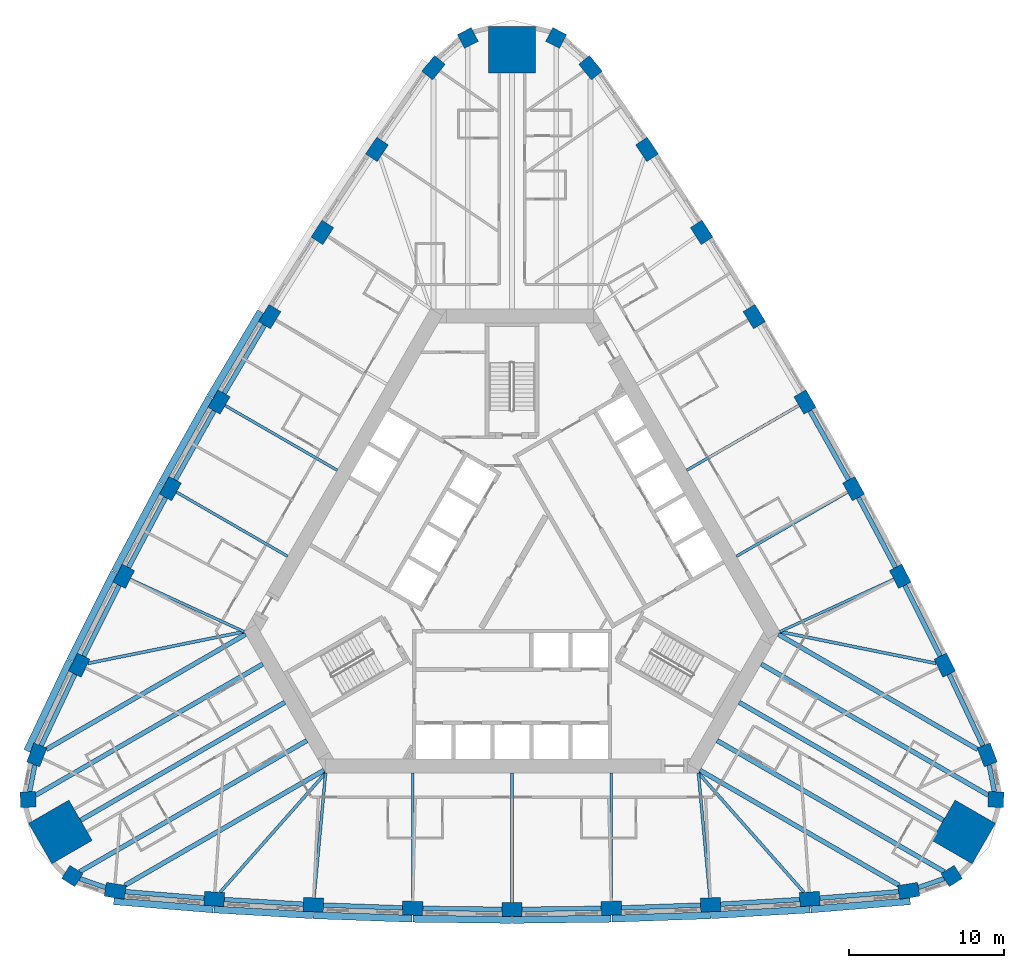
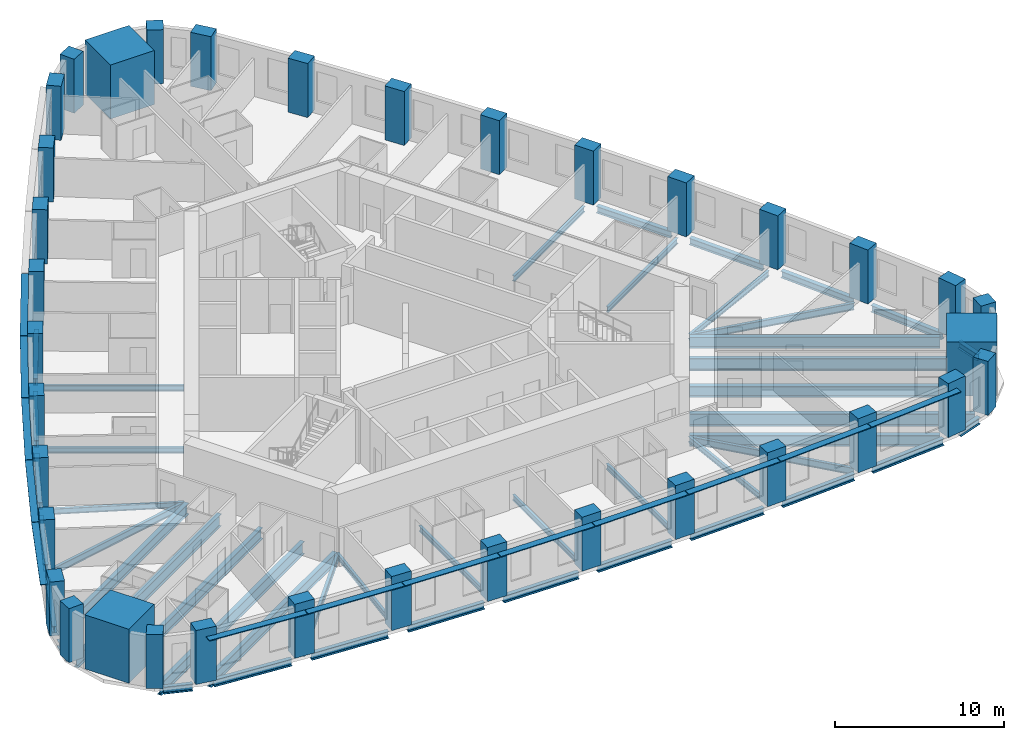
# One storey, part 1 of 12: 46 beams, 36 columns, 13 members.
"""IFC4 building model written with IfcOpenShell, lengths in metres."""

from ifc_helpers import new_model, si_unit, direction, frame, origin, origin_2d, place, context, subcontext, project, spatial, rectangle, i_section, extrude, material, material_profile, profile_set, type_object, element, save


model = new_model("IFC4")

# Units and contexts
model_context = context("Model", 3, precision=1e-05, world=origin(), true_north=direction((0.0, 1.0)))
body_context = subcontext(model_context, "Body", "Model", "MODEL_VIEW")
ifc_project = project(units=[si_unit("LENGTHUNIT", "METRE"), si_unit("AREAUNIT", "SQUARE_METRE"), si_unit("VOLUMEUNIT", "CUBIC_METRE"), si_unit("PLANEANGLEUNIT", "RADIAN"), si_unit("MASSUNIT", "GRAM", prefix="KILO")], contexts=[model_context])

# Site, building, storey
site_placement = place(None, origin())
site = spatial("IfcSite", under=ifc_project, at=site_placement, CompositionType="ELEMENT")
building_placement = place(site_placement, origin())
building = spatial("IfcBuilding", under=site, at=building_placement, Name="Mestral Congress Tower", CompositionType="ELEMENT")
storey_placement = place(building_placement, frame((0.0, 0.0, 103.199951171875)))
storey = spatial("IfcBuildingStorey", under=building, at=storey_placement, Name="L24", CompositionType="ELEMENT", Elevation=103.199951171875)

# Columns
ifc_material_1 = material(Name="Concrete C70/85", Category="concrete")
ifc_material_profile_1 = material_profile(ifc_material_1, rectangle(XDim=1.0, YDim=1.0, at=origin_2d()), Name="RC 1000x1000")
ifc_profile_set_1 = profile_set([ifc_material_profile_1], Name="Concrete C70/85")
column_type_1 = type_object("IfcColumnType", Name="Column RC 1000x1000 C70/85", PredefinedType="COLUMN", material=ifc_profile_set_1)
for number, where, z_axis, x_axis, name in (
    (1, (28.331298828125, -19.642822265625, 0.0), (0.0, 0.0, 1.0), (0.841700252504, 0.53994507585, 0.0), "COL-L24-C2-SE1"),
    (2, (31.1767578125, -14.714111328125, 0.0), (0.0, 0.0, 1.0), (0.046756026083, 0.998906338965, 0.0), "COL-L24-C2-SE3"),
    (3, (2.845703125, 34.35693359375, 0.0), (0.0, 0.0, 1.0), (-0.888456278587, 0.458961263115, 0.0), "COL-L24-C2-N1"),
    (4, (-2.845703125, 34.35693359375, 0.0), (0.0, 0.0, 1.0), (-0.888456278587, -0.458961263115, 0.0), "COL-L24-C2-N3"),
    (5, (-31.1767578125, -14.714111328125, 0.0), (0.0, 0.0, 1.0), (0.046756026083, -0.998906338965, 0.0), "COL-L24-C2-SW1"),
    (6, (-28.331298828125, -19.642822265625, 0.0), (0.0, 0.0, 1.0), (0.841700252504, -0.53994507585, 0.0), "COL-L24-C2-SW3"),
):
    element("IfcColumn", number, at=place(storey_placement, frame(where, z_axis=z_axis, x_axis=x_axis)), inside=storey, type_object=column_type_1, Name=name, PredefinedType="COLUMN", context=body_context, shape_type="SweptSolid", body=[
        extrude(rectangle(XDim=1.0, YDim=1.0, at=origin_2d()), origin(), (0.0, 0.0, 1.0), 3.900146484375),
    ])
ifc_material_profile_2 = material_profile(ifc_material_1, rectangle(XDim=1.300048828125, YDim=0.89990234375, at=origin_2d()), Name="RC 1300x900")
ifc_profile_set_2 = profile_set([ifc_material_profile_2], Name="Concrete C70/85")
column_type_2 = type_object("IfcColumnType", Name="Column RC 1300x900 C70/85", PredefinedType="COLUMN", material=ifc_profile_set_2)
for number, where, z_axis, x_axis, name in (
    (7, (-25.562744140625, -20.59716796875, 0.0), (0.0, 0.0, 1.0), (0.987202314361, -0.159472851987, 0.0), "COL-L24-C2-S00"),
    (8, (-19.184326171875, -21.120361328125, 0.0), (0.0, 0.0, 1.0), (0.997539884588, -0.07010120296, 0.0), "COL-L24-C2-S01"),
    (9, (-12.79541015625, -21.494384765625, 0.0), (0.0, 0.0, 1.0), (0.998906338965, -0.046756026083, 0.0), "COL-L24-C2-S02"),
    (10, (-6.3994140625, -21.71875, 0.0), (0.0, 0.0, 1.0), (0.99972656776, -0.023383535144, 0.0), "COL-L24-C2-S03"),
    (11, (0.0, -21.793701171875, 0.0), (0.0, 0.0, 1.0), (1.0, 0.0, 0.0), "COL-L24-C2-S04"),
    (12, (6.3994140625, -21.71875, 0.0), (0.0, 0.0, 1.0), (0.99972656776, 0.023383535144, 0.0), "COL-L24-C2-S05"),
    (13, (12.79541015625, -21.494384765625, 0.0), (0.0, 0.0, 1.0), (0.998906338965, 0.046756026083, 0.0), "COL-L24-C2-S06"),
    (14, (19.184326171875, -21.120361328125, 0.0), (0.0, 0.0, 1.0), (0.997539884588, 0.07010120296, 0.0), "COL-L24-C2-S07"),
    (15, (25.562744140625, -20.59716796875, 0.0), (0.0, 0.0, 1.0), (0.987202314361, 0.159472851987, 0.0), "COL-L24-C2-S08"),
    (16, (30.618896484375, -11.83935546875, 0.0), (0.0, 0.0, 1.0), (-0.355493616145, 0.934678708905, 0.0), "COL-L24-C2-E00"),
    (17, (27.8828125, -6.0537109375, 0.0), (0.0, 0.0, 1.0), (-0.438060519695, 0.898945482821, 0.0), "COL-L24-C2-E01"),
    (18, (25.01220703125, -0.333984375, 0.0), (0.0, 0.0, 1.0), (-0.458961263115, 0.888456278587, 0.0), "COL-L24-C2-E02"),
    (19, (22.0087890625, 5.3173828125, 0.0), (0.0, 0.0, 1.0), (-0.479612548415, 0.87748037209, 0.0), "COL-L24-C2-E03"),
    (20, (18.873779296875, 10.896728515625, 0.0), (0.0, 0.0, 1.0), (-0.5, 0.866025403784, 0.0), "COL-L24-C2-E04"),
    (21, (15.609375, 16.401611328125, 0.0), (0.0, 0.0, 1.0), (-0.520114019344, 0.854096836946, 0.0), "COL-L24-C2-E05"),
    (22, (12.217041015625, 21.828369140625, 0.0), (0.0, 0.0, 1.0), (-0.53994507585, 0.841700252504, 0.0), "COL-L24-C2-E06"),
    (23, (8.69873046875, 27.17431640625, 0.0), (0.0, 0.0, 1.0), (-0.559479364893, 0.828844279861, 0.0), "COL-L24-C2-E07"),
    (24, (5.056396484375, 32.4365234375, 0.0), (0.0, 0.0, 1.0), (-0.631708698215, 0.775205856918, 0.0), "COL-L24-C2-E08"),
    (25, (-5.056396484375, 32.4365234375, 0.0), (0.0, 0.0, 1.0), (-0.631708698215, -0.775205856918, 0.0), "COL-L24-C2-W00"),
    (26, (-8.69873046875, 27.17431640625, 0.0), (0.0, 0.0, 1.0), (-0.559479364893, -0.828844279861, 0.0), "COL-L24-C2-W01"),
    (27, (-12.217041015625, 21.828369140625, 0.0), (0.0, 0.0, 1.0), (-0.53994507585, -0.841700252504, 0.0), "COL-L24-C2-W02"),
    (28, (-15.609375, 16.401611328125, 0.0), (0.0, 0.0, 1.0), (-0.520114019344, -0.854096836946, 0.0), "COL-L24-C2-W03"),
    (29, (-18.873779296875, 10.896728515625, 0.0), (0.0, 0.0, 1.0), (-0.5, -0.866025403784, 0.0), "COL-L24-C2-W04"),
    (30, (-22.0087890625, 5.3173828125, 0.0), (0.0, 0.0, 1.0), (-0.479612548415, -0.87748037209, 0.0), "COL-L24-C2-W05"),
    (31, (-25.01220703125, -0.333984375, 0.0), (0.0, 0.0, 1.0), (-0.458961263115, -0.888456278587, 0.0), "COL-L24-C2-W06"),
    (32, (-27.8828125, -6.0537109375, 0.0), (0.0, 0.0, 1.0), (-0.438060519695, -0.898945482821, 0.0), "COL-L24-C2-W07"),
    (33, (-30.618896484375, -11.83935546875, 0.0), (0.0, 0.0, 1.0), (-0.355493616145, -0.934678708905, 0.0), "COL-L24-C2-W08"),
):
    element("IfcColumn", number, at=place(storey_placement, frame(where, z_axis=z_axis, x_axis=x_axis)), inside=storey, type_object=column_type_2, Name=name, PredefinedType="COLUMN", context=body_context, shape_type="SweptSolid", body=[
        extrude(rectangle(XDim=1.300048828125, YDim=0.89990234375, at=origin_2d()), origin(), (0.0, 0.0, 1.0), 3.900146484375),
    ])
ifc_material_2 = material(Name="Concrete C80/95", Category="concrete")
ifc_material_profile_3 = material_profile(ifc_material_2, rectangle(XDim=3.0, YDim=3.0, at=origin_2d()), Name="RC 3000x3000")
ifc_profile_set_3 = profile_set([ifc_material_profile_3], Name="Concrete C80/95")
column_type_3 = type_object("IfcColumnType", Name="Mega column RC 3000x3000 C80/95", PredefinedType="COLUMN", material=ifc_profile_set_3)
for number, where, z_axis, x_axis, name in (
    (34, (29.09716796875, -16.79931640625, 0.0), (0.0, 0.0, 1.0), (0.866025403784, -0.5, 0.0), "COL-L24-PY2-SE"),
    (35, (0.0, 33.598388671875, 0.0), (0.0, 0.0, 1.0), (0.0, 1.0, 0.0), "COL-L24-PY2-N"),
    (36, (-29.09716796875, -16.79931640625, 0.0), (0.0, 0.0, 1.0), (-0.866025403784, -0.5, 0.0), "COL-L24-PY2-SW"),
):
    element("IfcColumn", number, at=place(storey_placement, frame(where, z_axis=z_axis, x_axis=x_axis)), inside=storey, type_object=column_type_3, Name=name, PredefinedType="COLUMN", context=body_context, shape_type="SweptSolid", body=[
        extrude(rectangle(XDim=3.0, YDim=3.0, at=origin_2d()), origin(), (0.0, 0.0, 1.0), 3.900146484375),
    ])

# Members
ifc_material_3 = material(Name="Glazed ceramic", Category="masonry")
ifc_material_profile_4 = material_profile(ifc_material_3, rectangle(XDim=0.449951171875, YDim=0.06005859375, at=origin_2d()), Name="Ceramic blade 450 x 60")
ifc_profile_set_4 = profile_set([ifc_material_profile_4], Name="Glazed ceramic")
member_type = type_object("IfcMemberType", Name="Facade sunshade blade 450 x 60", PredefinedType="USERDEFINED", material=ifc_profile_set_4)
member_1_placement = place(storey_placement, frame((-25.654296875, -21.266845703125, 3.280029296875), z_axis=(0.996650616323, -0.081777435656, 0.0), x_axis=(0.081777435656, 0.996650616323, 0.0)))
element("IfcMember", 37, at=member_1_placement, inside=storey, type_object=member_type, Name="Sunshade F0-00", ObjectType="SUNSHADE", PredefinedType="USERDEFINED", context=body_context, shape_type="SweptSolid", body=[
    extrude(rectangle(XDim=0.449951171875, YDim=0.06005859375, at=origin_2d()), origin(), (0.0, 0.0, 1.0), 6.421630859375),
])
for number, where, z_axis, x_axis, name in (
    (38, (-19.208984375, -21.795166015625, 3.280029296875), (0.998292825409, -0.05840748871, 0.0), (0.05840748871, 0.998292825409, 0.0), "Sunshade F0-01"),
    (39, (-12.80419921875, -22.16943359375, 3.280029296875), (0.999384970229, -0.035066811664, 0.0), (0.035066811664, 0.999384970229, 0.0), "Sunshade F0-02"),
    (40, (-6.392578125, -22.393798828125, 3.280029296875), (0.999931231966, -0.011727375608, 0.0), (0.011727375608, 0.999931231966, 0.0), "Sunshade F0-03"),
    (41, (0.022705078125, -22.468505859375, 3.280029296875), (0.999931231966, 0.011727375608, 0.0), (-0.011727375608, 0.999931231966, 0.0), "Sunshade F0-04"),
    (42, (6.437744140625, -22.392822265625, 3.280029296875), (0.999384970229, 0.035066811664, 0.0), (-0.035066811664, 0.999384970229, 0.0), "Sunshade F0-05"),
    (43, (12.849609375, -22.167236328125, 3.280029296875), (0.998292825409, 0.05840748871, 0.0), (-0.05840748871, 0.998292825409, 0.0), "Sunshade F0-06"),
):
    element("IfcMember", number, at=place(storey_placement, frame(where, z_axis=z_axis, x_axis=x_axis)), inside=storey, type_object=member_type, Name=name, ObjectType="SUNSHADE", PredefinedType="USERDEFINED", context=body_context, shape_type="SweptSolid", body=[
        extrude(rectangle(XDim=0.449951171875, YDim=0.06005859375, at=origin_2d()), origin(), (0.0, 0.0, 1.0), 6.370361328125),
    ])
member_2_placement = place(storey_placement, frame((19.254150390625, -21.7919921875, 3.280029296875), z_axis=(0.996650616323, 0.081777435656, 0.0), x_axis=(-0.081777435656, 0.996650616323, 0.0)))
element("IfcMember", 44, at=member_2_placement, inside=storey, type_object=member_type, Name="Sunshade F0-07", ObjectType="SUNSHADE", PredefinedType="USERDEFINED", context=body_context, shape_type="SweptSolid", body=[
    extrude(rectangle(XDim=0.449951171875, YDim=0.06005859375, at=origin_2d()), origin(), (0.0, 0.0, 1.0), 6.421630859375),
])
for number, where, z_axis, x_axis, name in (
    (45, (-16.197509765625, 16.733154296875, 3.280029296875), (-0.510098606231, -0.86011592935, 0.0), (0.86011592935, -0.510098606231, 0.0), "Sunshade F2-03"),
    (46, (-19.469482421875, 11.214599609375, 3.280029296875), (-0.489860886888, -0.871800614531, 0.0), (0.871800614531, -0.489860886888, 0.0), "Sunshade F2-04"),
    (47, (-22.61181640625, 5.62109375, 3.280029296875), (-0.469318672425, -0.883028869128, 0.0), (0.883028869128, -0.469318672425, 0.0), "Sunshade F2-05"),
):
    element("IfcMember", number, at=place(storey_placement, frame(where, z_axis=z_axis, x_axis=x_axis)), inside=storey, type_object=member_type, Name=name, ObjectType="SUNSHADE", PredefinedType="USERDEFINED", context=body_context, shape_type="SweptSolid", body=[
        extrude(rectangle(XDim=0.449951171875, YDim=0.06005859375, at=origin_2d()), origin(), (0.0, 0.0, 1.0), 6.370361328125),
    ])
member_3_placement = place(storey_placement, frame((-25.622314453125, -0.04443359375, 3.280029296875), z_axis=(-0.448531530965, -0.893767008638, 0.0), x_axis=(0.893767008638, -0.448531530965, 0.0)))
element("IfcMember", 48, at=member_3_placement, inside=storey, type_object=member_type, Name="Sunshade F2-06", ObjectType="SUNSHADE", PredefinedType="USERDEFINED", context=body_context, shape_type="SweptSolid", body=[
    extrude(rectangle(XDim=0.449951171875, YDim=0.06005859375, at=origin_2d()), origin(), (0.0, 0.0, 1.0), 6.3701171875),
])
member_4_placement = place(storey_placement, frame((-28.49951171875, -5.778564453125, 3.280029296875), z_axis=(-0.427519164001, -0.904006285604, 0.0), x_axis=(0.904006285604, -0.427519164001, 0.0)))
element("IfcMember", 49, at=member_4_placement, inside=storey, type_object=member_type, Name="Sunshade F2-07", ObjectType="SUNSHADE", PredefinedType="USERDEFINED", context=body_context, shape_type="SweptSolid", body=[
    extrude(rectangle(XDim=0.449951171875, YDim=0.06005859375, at=origin_2d()), origin(), (0.0, 0.0, 1.0), 6.421630859375),
])

# Beams
ifc_material_4 = material(Name="Steel S355", Category="steel")
ifc_material_profile_5 = material_profile(ifc_material_4, i_section(OverallWidth=0.300048828125, OverallDepth=0.800048828125, WebThickness=0.017578125, FlangeThickness=0.032958984375, FilletRadius=0.030029296875, at=origin_2d()), Name="HEB 800")
ifc_profile_set_5 = profile_set([ifc_material_profile_5], Name="Steel S355")
beam_type_1 = type_object("IfcBeamType", Name="Floor beam HEB 800 S355", PredefinedType="BEAM", material=ifc_profile_set_5)
for number, where, z_axis, x_axis, name in (
    (50, (-24.94580078125, -20.240966796875, -0.64990234375), (0.866025146382, 0.500000445834, 0.0), (-0.500000445834, 0.866025146382, 0.0), "BM-L24-RB2-S00"),
    (51, (24.94580078125, -20.240966796875, -0.64990234375), (-0.866025146382, 0.500000445834, 0.0), (-0.500000445834, -0.866025146382, 0.0), "BM-L24-RB2-S08"),
):
    element("IfcBeam", number, at=place(storey_placement, frame(where, z_axis=z_axis, x_axis=x_axis)), inside=storey, type_object=beam_type_1, Name=name, PredefinedType="BEAM", context=body_context, shape_type="SweptSolid", body=[
        extrude(i_section(OverallWidth=0.300048828125, OverallDepth=0.800048828125, WebThickness=0.017578125, FlangeThickness=0.032958984375, FilletRadius=0.030029296875, at=origin_2d()), origin(), (0.0, 0.0, 1.0), 14.82421875),
    ])
beam_1_placement = place(storey_placement, frame((27.798095703125, -16.04931640625, -0.64990234375), z_axis=(-0.866023213189, 0.500003794204, 0.0), x_axis=(-0.500003794204, -0.866023213189, 0.0)))
element("IfcBeam", 52, at=beam_1_placement, inside=storey, type_object=beam_type_1, Name="BM-L24-RB2-SE", PredefinedType="BEAM", context=body_context, shape_type="SweptSolid", body=[
    extrude(i_section(OverallWidth=0.300048828125, OverallDepth=0.800048828125, WebThickness=0.017578125, FlangeThickness=0.032958984375, FilletRadius=0.030029296875, at=origin_2d()), origin(), (0.0, 0.0, 1.0), 15.19873046875),
])
for number, where, z_axis, x_axis, name in (
    (53, (30.002197265625, -11.483154296875, -0.64990234375), (-0.866025146382, 0.500000445834, 0.0), (-0.500000445834, -0.866025146382, 0.0), "BM-L24-RB2-E00"),
    (54, (-30.002197265625, -11.483154296875, -0.64990234375), (0.866025146382, 0.500000445834, 0.0), (-0.500000445834, 0.866025146382, 0.0), "BM-L24-RB2-W08"),
):
    element("IfcBeam", number, at=place(storey_placement, frame(where, z_axis=z_axis, x_axis=x_axis)), inside=storey, type_object=beam_type_1, Name=name, PredefinedType="BEAM", context=body_context, shape_type="SweptSolid", body=[
        extrude(i_section(OverallWidth=0.300048828125, OverallDepth=0.800048828125, WebThickness=0.017578125, FlangeThickness=0.032958984375, FilletRadius=0.030029296875, at=origin_2d()), origin(), (0.0, 0.0, 1.0), 14.82421875),
    ])
beam_2_placement = place(storey_placement, frame((-27.798095703125, -16.04931640625, -0.64990234375), z_axis=(0.866023213189, 0.500003794204, 0.0), x_axis=(-0.500003794204, 0.866023213189, 0.0)))
element("IfcBeam", 55, at=beam_2_placement, inside=storey, type_object=beam_type_1, Name="BM-L24-RB2-SW", PredefinedType="BEAM", context=body_context, shape_type="SweptSolid", body=[
    extrude(i_section(OverallWidth=0.300048828125, OverallDepth=0.800048828125, WebThickness=0.017578125, FlangeThickness=0.032958984375, FilletRadius=0.030029296875, at=origin_2d()), origin(), (0.0, 0.0, 1.0), 15.19873046875),
])
ifc_material_profile_6 = material_profile(ifc_material_4, i_section(OverallWidth=0.300048828125, OverallDepth=0.89990234375, WebThickness=0.0185546875, FlangeThickness=0.034912109375, FilletRadius=0.030029296875, at=origin_2d()), Name="HEB 900")
ifc_profile_set_6 = profile_set([ifc_material_profile_6], Name="Steel S355")
beam_type_2 = type_object("IfcBeamType", Name="Floor beam HEB 900 S355", PredefinedType="BEAM", material=ifc_profile_set_6)
beam_3_placement = place(storey_placement, frame((27.84375, -19.361328125, -0.699951171875), z_axis=(-0.866024587677, 0.500001413537, 0.0), x_axis=(-0.500001413537, -0.866024587677, 0.0)))
element("IfcBeam", 56, at=beam_3_placement, inside=storey, type_object=beam_type_2, Name="BM-L24-RB2-SE1", PredefinedType="BEAM", context=body_context, shape_type="SweptSolid", body=[
    extrude(i_section(OverallWidth=0.300048828125, OverallDepth=0.89990234375, WebThickness=0.0185546875, FlangeThickness=0.034912109375, FilletRadius=0.030029296875, at=origin_2d()), origin(), (0.0, 0.0, 1.0), 16.89404296875),
])
for number, where, z_axis, x_axis, name in (
    (57, (30.689453125, -14.4326171875, -0.699951171875), (-0.866028200461, 0.499995155983, 0.0), (-0.499995155983, -0.866028200461, 0.0), "BM-L24-RB2-SE3"),
    (58, (-30.689453125, -14.4326171875, -0.699951171875), (0.866028200461, 0.499995155983, 0.0), (-0.499995155983, 0.866028200461, 0.0), "BM-L24-RB2-SW1"),
):
    element("IfcBeam", number, at=place(storey_placement, frame(where, z_axis=z_axis, x_axis=x_axis)), inside=storey, type_object=beam_type_2, Name=name, PredefinedType="BEAM", context=body_context, shape_type="SweptSolid", body=[
        extrude(i_section(OverallWidth=0.300048828125, OverallDepth=0.89990234375, WebThickness=0.0185546875, FlangeThickness=0.034912109375, FilletRadius=0.030029296875, at=origin_2d()), origin(), (0.0, 0.0, 1.0), 16.894287109375),
    ])
beam_4_placement = place(storey_placement, frame((-27.84375, -19.361328125, -0.699951171875), z_axis=(0.866024587677, 0.500001413537, 0.0), x_axis=(-0.500001413537, 0.866024587677, 0.0)))
element("IfcBeam", 59, at=beam_4_placement, inside=storey, type_object=beam_type_2, Name="BM-L24-RB2-SW3", PredefinedType="BEAM", context=body_context, shape_type="SweptSolid", body=[
    extrude(i_section(OverallWidth=0.300048828125, OverallDepth=0.89990234375, WebThickness=0.0185546875, FlangeThickness=0.034912109375, FilletRadius=0.030029296875, at=origin_2d()), origin(), (0.0, 0.0, 1.0), 16.89404296875),
])
ifc_material_profile_7 = material_profile(ifc_material_4, i_section(OverallWidth=0.179931640625, OverallDepth=0.39990234375, WebThickness=0.008544921875, FlangeThickness=0.013427734375, FilletRadius=0.02099609375, at=origin_2d()), Name="IPE 400")
ifc_profile_set_7 = profile_set([ifc_material_profile_7], Name="Steel S355")
beam_type_3 = type_object("IfcBeamType", Name="Floor beam IPE 400 S355", PredefinedType="BEAM", material=ifc_profile_set_7)
beam_5_placement = place(storey_placement, frame((-12.753662109375, -21.0458984375, -0.449951171875), z_axis=(0.092183786594, 0.995742009503, 0.0), x_axis=(-0.995742009503, 0.092183786594, 0.0)))
element("IfcBeam", 60, at=beam_5_placement, inside=storey, type_object=beam_type_3, Name="BM-L24-RB2-S02", PredefinedType="BEAM", context=body_context, shape_type="SweptSolid", body=[
    extrude(i_section(OverallWidth=0.179931640625, OverallDepth=0.39990234375, WebThickness=0.008544921875, FlangeThickness=0.013427734375, FilletRadius=0.02099609375, at=origin_2d()), origin(), (0.0, 0.0, 1.0), 8.080322265625),
])
beam_6_placement = place(storey_placement, frame((-6.3994140625, -21.268798828125, -0.449951171875), z_axis=(0.0, 1.0, 0.0), x_axis=(-1.0, 0.0, 0.0)))
element("IfcBeam", 61, at=beam_6_placement, inside=storey, type_object=beam_type_3, Name="BM-L24-RB2-S03", PredefinedType="BEAM", context=body_context, shape_type="SweptSolid", body=[
    extrude(i_section(OverallWidth=0.179931640625, OverallDepth=0.39990234375, WebThickness=0.008544921875, FlangeThickness=0.013427734375, FilletRadius=0.02099609375, at=origin_2d()), origin(), (0.0, 0.0, 1.0), 8.268798828125),
])
beam_7_placement = place(storey_placement, frame((0.0, -21.343505859375, -0.449951171875), z_axis=(0.0, 1.0, 0.0), x_axis=(-1.0, 0.0, 0.0)))
element("IfcBeam", 62, at=beam_7_placement, inside=storey, type_object=beam_type_3, Name="BM-L24-RB2-S04", PredefinedType="BEAM", context=body_context, shape_type="SweptSolid", body=[
    extrude(i_section(OverallWidth=0.179931640625, OverallDepth=0.39990234375, WebThickness=0.008544921875, FlangeThickness=0.013427734375, FilletRadius=0.02099609375, at=origin_2d()), origin(), (0.0, 0.0, 1.0), 8.343505859375),
])
beam_8_placement = place(storey_placement, frame((6.3994140625, -21.268798828125, -0.449951171875), z_axis=(0.0, 1.0, 0.0), x_axis=(-1.0, 0.0, 0.0)))
element("IfcBeam", 63, at=beam_8_placement, inside=storey, type_object=beam_type_3, Name="BM-L24-RB2-S05", PredefinedType="BEAM", context=body_context, shape_type="SweptSolid", body=[
    extrude(i_section(OverallWidth=0.179931640625, OverallDepth=0.39990234375, WebThickness=0.008544921875, FlangeThickness=0.013427734375, FilletRadius=0.02099609375, at=origin_2d()), origin(), (0.0, 0.0, 1.0), 8.268798828125),
])
beam_9_placement = place(storey_placement, frame((12.753662109375, -21.0458984375, -0.449951171875), z_axis=(-0.092183786594, 0.995742009503, 0.0), x_axis=(-0.995742009503, -0.092183786594, 0.0)))
element("IfcBeam", 64, at=beam_9_placement, inside=storey, type_object=beam_type_3, Name="BM-L24-RB2-S06", PredefinedType="BEAM", context=body_context, shape_type="SweptSolid", body=[
    extrude(i_section(OverallWidth=0.179931640625, OverallDepth=0.39990234375, WebThickness=0.008544921875, FlangeThickness=0.013427734375, FilletRadius=0.02099609375, at=origin_2d()), origin(), (0.0, 0.0, 1.0), 8.080322265625),
])
beam_10_placement = place(storey_placement, frame((24.60302734375, -0.522216796875, -0.449951171875), z_axis=(-0.908437217841, -0.418021316731, 0.0), x_axis=(0.418021316731, -0.908437217841, 0.0)))
element("IfcBeam", 65, at=beam_10_placement, inside=storey, type_object=beam_type_3, Name="BM-L24-RB2-E02", PredefinedType="BEAM", context=body_context, shape_type="SweptSolid", body=[
    extrude(i_section(OverallWidth=0.179931640625, OverallDepth=0.39990234375, WebThickness=0.008544921875, FlangeThickness=0.013427734375, FilletRadius=0.02099609375, at=origin_2d()), origin(), (0.0, 0.0, 1.0), 8.080078125),
])
beam_11_placement = place(storey_placement, frame((21.618896484375, 5.09228515625, -0.449951171875), z_axis=(-0.866028737439, -0.499994225897, 0.0), x_axis=(0.499994225897, -0.866028737439, 0.0)))
element("IfcBeam", 66, at=beam_11_placement, inside=storey, type_object=beam_type_3, Name="BM-L24-RB2-E03", PredefinedType="BEAM", context=body_context, shape_type="SweptSolid", body=[
    extrude(i_section(OverallWidth=0.179931640625, OverallDepth=0.39990234375, WebThickness=0.008544921875, FlangeThickness=0.013427734375, FilletRadius=0.02099609375, at=origin_2d()), origin(), (0.0, 0.0, 1.0), 8.2685546875),
])
for number, where, z_axis, x_axis, name in (
    (67, (18.484130859375, 10.671875, -0.449951171875), (-0.86602332482, -0.500003600855, 0.0), (0.500003600855, -0.86602332482, 0.0), "BM-L24-RB2-E04"),
    (68, (-18.484130859375, 10.671875, -0.449951171875), (0.86602332482, -0.500003600855, 0.0), (0.500003600855, 0.86602332482, 0.0), "BM-L24-RB2-W04"),
):
    element("IfcBeam", number, at=place(storey_placement, frame(where, z_axis=z_axis, x_axis=x_axis)), inside=storey, type_object=beam_type_3, Name=name, PredefinedType="BEAM", context=body_context, shape_type="SweptSolid", body=[
        extrude(i_section(OverallWidth=0.179931640625, OverallDepth=0.39990234375, WebThickness=0.008544921875, FlangeThickness=0.013427734375, FilletRadius=0.02099609375, at=origin_2d()), origin(), (0.0, 0.0, 1.0), 8.34375),
    ])
beam_12_placement = place(storey_placement, frame((-21.618896484375, 5.09228515625, -0.449951171875), z_axis=(0.866028737439, -0.499994225897, 0.0), x_axis=(0.499994225897, 0.866028737439, 0.0)))
element("IfcBeam", 69, at=beam_12_placement, inside=storey, type_object=beam_type_3, Name="BM-L24-RB2-W05", PredefinedType="BEAM", context=body_context, shape_type="SweptSolid", body=[
    extrude(i_section(OverallWidth=0.179931640625, OverallDepth=0.39990234375, WebThickness=0.008544921875, FlangeThickness=0.013427734375, FilletRadius=0.02099609375, at=origin_2d()), origin(), (0.0, 0.0, 1.0), 8.2685546875),
])
beam_13_placement = place(storey_placement, frame((-24.60302734375, -0.522216796875, -0.449951171875), z_axis=(0.908437217841, -0.418021316731, 0.0), x_axis=(0.418021316731, 0.908437217841, 0.0)))
element("IfcBeam", 70, at=beam_13_placement, inside=storey, type_object=beam_type_3, Name="BM-L24-RB2-W06", PredefinedType="BEAM", context=body_context, shape_type="SweptSolid", body=[
    extrude(i_section(OverallWidth=0.179931640625, OverallDepth=0.39990234375, WebThickness=0.008544921875, FlangeThickness=0.013427734375, FilletRadius=0.02099609375, at=origin_2d()), origin(), (0.0, 0.0, 1.0), 8.080078125),
])
ifc_material_profile_8 = material_profile(ifc_material_4, i_section(OverallWidth=0.199951171875, OverallDepth=0.5, WebThickness=0.01025390625, FlangeThickness=0.01611328125, FilletRadius=0.02099609375, at=origin_2d()), Name="IPE 500")
ifc_profile_set_8 = profile_set([ifc_material_profile_8], Name="Steel S355")
beam_type_4 = type_object("IfcBeamType", Name="Floor beam IPE 500 S355", PredefinedType="BEAM", material=ifc_profile_set_8)
for number, where, z_axis, x_axis, name in (
    (71, (-18.80908203125, -20.695556640625, -0.5), (0.662174203587, 0.749349934346, 0.0), (-0.749349934346, 0.662174203587, 0.0), "BM-L24-RB2-S01"),
    (72, (18.80908203125, -20.695556640625, -0.5), (-0.662174203587, 0.749349934346, 0.0), (-0.749349934346, -0.662174203587, 0.0), "BM-L24-RB2-S07"),
    (73, (27.327392578125, -5.941162109375, -0.5), (-0.980046767137, 0.198767035052, 0.0), (-0.198767035052, -0.980046767137, 0.0), "BM-L24-RB2-E01"),
    (74, (-27.327392578125, -5.941162109375, -0.5), (0.980046767137, 0.198767035052, 0.0), (-0.198767035052, 0.980046767137, 0.0), "BM-L24-RB2-W07"),
):
    element("IfcBeam", number, at=place(storey_placement, frame(where, z_axis=z_axis, x_axis=x_axis)), inside=storey, type_object=beam_type_4, Name=name, PredefinedType="BEAM", context=body_context, shape_type="SweptSolid", body=[
        extrude(i_section(OverallWidth=0.199951171875, OverallDepth=0.5, WebThickness=0.01025390625, FlangeThickness=0.01611328125, FilletRadius=0.02099609375, at=origin_2d()), origin(), (0.0, 0.0, 1.0), 10.26953125),
    ])
ifc_material_profile_9 = material_profile(ifc_material_4, i_section(OverallWidth=0.300048828125, OverallDepth=0.489990234375, WebThickness=0.011962890625, FlangeThickness=0.02294921875, FilletRadius=0.027099609375, at=origin_2d()), Name="HEA 500")
ifc_profile_set_9 = profile_set([ifc_material_profile_9], Name="Steel S355")
beam_type_5 = type_object("IfcBeamType", Name="Spandrel beam HEA 500 S355", PredefinedType="BEAM", material=ifc_profile_set_9)
beam_14_placement = place(storey_placement, frame((-24.912841796875, -20.650390625, -0.494873046875), z_axis=(0.996652597162, -0.081753290887, 0.0), x_axis=(0.081753290887, 0.996652597162, 0.0)))
element("IfcBeam", 75, at=beam_14_placement, inside=storey, type_object=beam_type_5, Name="SP-L24-SB2-S00", PredefinedType="BEAM", context=body_context, shape_type="SweptSolid", body=[
    extrude(i_section(OverallWidth=0.300048828125, OverallDepth=0.489990234375, WebThickness=0.011962890625, FlangeThickness=0.02294921875, FilletRadius=0.027099609375, at=origin_2d()), origin(), (0.0, 0.0, 1.0), 5.09765625),
])
for number, where, z_axis, x_axis, name in (
    (76, (-18.535400390625, -21.158447265625, -0.494873046875), (0.998292976718, -0.058404902489, 0.0), (0.058404902489, 0.998292976718, 0.0), "SP-L24-SB2-S01"),
    (77, (-12.145751953125, -21.51708984375, -0.494873046875), (0.999384139945, -0.035090466305, 0.0), (0.035090466305, 0.999384139945, 0.0), "SP-L24-SB2-S02"),
    (78, (-5.74951171875, -21.726318359375, -0.494873046875), (0.999931780034, -0.011680551241, 0.0), (0.011680551241, 0.999931780034, 0.0), "SP-L24-SB2-S03"),
    (79, (0.64990234375, -21.785888671875, -0.494873046875), (0.999931780034, 0.011680551241, 0.0), (-0.011680551241, 0.999931780034, 0.0), "SP-L24-SB2-S04"),
    (80, (7.049072265625, -21.696044921875, -0.494873046875), (0.999384139945, 0.035090466305, 0.0), (-0.035090466305, 0.999384139945, 0.0), "SP-L24-SB2-S05"),
    (81, (13.4443359375, -21.456298828125, -0.494873046875), (0.998292976718, 0.058404902489, 0.0), (-0.058404902489, 0.998292976718, 0.0), "SP-L24-SB2-S06"),
):
    element("IfcBeam", number, at=place(storey_placement, frame(where, z_axis=z_axis, x_axis=x_axis)), inside=storey, type_object=beam_type_5, Name=name, PredefinedType="BEAM", context=body_context, shape_type="SweptSolid", body=[
        extrude(i_section(OverallWidth=0.300048828125, OverallDepth=0.489990234375, WebThickness=0.011962890625, FlangeThickness=0.02294921875, FilletRadius=0.027099609375, at=origin_2d()), origin(), (0.0, 0.0, 1.0), 5.099853515625),
    ])
beam_15_placement = place(storey_placement, frame((19.832275390625, -21.067138671875, -0.494873046875), z_axis=(0.996652597162, 0.081753290887, 0.0), x_axis=(-0.081753290887, 0.996652597162, 0.0)))
element("IfcBeam", 82, at=beam_15_placement, inside=storey, type_object=beam_type_5, Name="SP-L24-SB2-S07", PredefinedType="BEAM", context=body_context, shape_type="SweptSolid", body=[
    extrude(i_section(OverallWidth=0.300048828125, OverallDepth=0.489990234375, WebThickness=0.011962890625, FlangeThickness=0.02294921875, FilletRadius=0.027099609375, at=origin_2d()), origin(), (0.0, 0.0, 1.0), 5.09765625),
])
for number, where, z_axis, x_axis, name in (
    (83, (26.186279296875, -20.382080078125, -0.494873046875), (0.945433605893, 0.325814819873, 0.0), (-0.325814819873, 0.945433605893, 0.0), "SP-L24-SB2-S08"),
    (84, (31.078857421875, -14.208984375, -0.494873046875), (-0.190545536928, 0.981678357894, 0.0), (-0.981678357894, -0.190545536928, 0.0), "SP-L24-SB2-SE3"),
):
    element("IfcBeam", number, at=place(storey_placement, frame(where, z_axis=z_axis, x_axis=x_axis)), inside=storey, type_object=beam_type_5, Name=name, PredefinedType="BEAM", context=body_context, shape_type="SweptSolid", body=[
        extrude(i_section(OverallWidth=0.300048828125, OverallDepth=0.489990234375, WebThickness=0.011962890625, FlangeThickness=0.02294921875, FilletRadius=0.027099609375, at=origin_2d()), origin(), (0.0, 0.0, 1.0), 1.754150390625),
    ])
beam_16_placement = place(storey_placement, frame((30.34033203125, -11.25, -0.494873046875), z_axis=(-0.427509849729, 0.904010690415, 0.0), x_axis=(-0.904010690415, -0.427509849729, 0.0)))
element("IfcBeam", 85, at=beam_16_placement, inside=storey, type_object=beam_type_5, Name="SP-L24-SB2-E00", PredefinedType="BEAM", context=body_context, shape_type="SweptSolid", body=[
    extrude(i_section(OverallWidth=0.300048828125, OverallDepth=0.489990234375, WebThickness=0.011962890625, FlangeThickness=0.02294921875, FilletRadius=0.027099609375, at=origin_2d()), origin(), (0.0, 0.0, 1.0), 5.097900390625),
])
for number, where, z_axis, x_axis, name in (
    (86, (27.59130859375, -5.472900390625, -0.494873046875), (-0.448515247182, 0.89377518037, 0.0), (-0.89377518037, -0.448515247182, 0.0), "SP-L24-SB2-E01"),
    (87, (24.707275390625, 0.239990234375, -0.494873046875), (-0.469288226496, 0.883045050081, 0.0), (-0.883045050081, -0.469288226496, 0.0), "SP-L24-SB2-E02"),
    (88, (21.6904296875, 5.884033203125, -0.494873046875), (-0.489836148985, 0.871814514187, 0.0), (-0.871814514187, -0.489836148985, 0.0), "SP-L24-SB2-E03"),
    (89, (-15.94091796875, 15.84228515625, -0.494873046875), (-0.510081870963, -0.860125854114, 0.0), (0.860125854114, -0.510081870963, 0.0), "SP-L24-SB2-W03"),
    (90, (-19.1923828125, 10.330078125, -0.494873046875), (-0.489836148985, -0.871814514187, 0.0), (0.871814514187, -0.489836148985, 0.0), "SP-L24-SB2-W04"),
    (91, (-22.31396484375, 4.743408203125, -0.494873046875), (-0.469288226496, -0.883045050081, 0.0), (0.883045050081, -0.469288226496, 0.0), "SP-L24-SB2-W05"),
    (92, (-25.303955078125, -0.914794921875, -0.494873046875), (-0.448515247182, -0.89377518037, 0.0), (0.89377518037, -0.448515247182, 0.0), "SP-L24-SB2-W06"),
):
    element("IfcBeam", number, at=place(storey_placement, frame(where, z_axis=z_axis, x_axis=x_axis)), inside=storey, type_object=beam_type_5, Name=name, PredefinedType="BEAM", context=body_context, shape_type="SweptSolid", body=[
        extrude(i_section(OverallWidth=0.300048828125, OverallDepth=0.489990234375, WebThickness=0.011962890625, FlangeThickness=0.02294921875, FilletRadius=0.027099609375, at=origin_2d()), origin(), (0.0, 0.0, 1.0), 5.099853515625),
    ])
beam_17_placement = place(storey_placement, frame((-28.160888671875, -6.641357421875, -0.494873046875), z_axis=(-0.427509849729, -0.904010690415, 0.0), x_axis=(0.904010690415, -0.427509849729, 0.0)))
element("IfcBeam", 93, at=beam_17_placement, inside=storey, type_object=beam_type_5, Name="SP-L24-SB2-W07", PredefinedType="BEAM", context=body_context, shape_type="SweptSolid", body=[
    extrude(i_section(OverallWidth=0.300048828125, OverallDepth=0.489990234375, WebThickness=0.011962890625, FlangeThickness=0.02294921875, FilletRadius=0.027099609375, at=origin_2d()), origin(), (0.0, 0.0, 1.0), 5.097900390625),
])
for number, where, z_axis, x_axis, name in (
    (94, (-30.74462890625, -12.487060546875, -0.494873046875), (-0.190545536928, -0.981678357894, 0.0), (0.981678357894, -0.190545536928, 0.0), "SP-L24-SB2-W08"),
    (95, (-27.8447265625, -19.810546875, -0.494873046875), (0.945433605893, -0.325814819873, 0.0), (0.325814819873, 0.945433605893, 0.0), "SP-L24-SB2-SW3"),
):
    element("IfcBeam", number, at=place(storey_placement, frame(where, z_axis=z_axis, x_axis=x_axis)), inside=storey, type_object=beam_type_5, Name=name, PredefinedType="BEAM", context=body_context, shape_type="SweptSolid", body=[
        extrude(i_section(OverallWidth=0.300048828125, OverallDepth=0.489990234375, WebThickness=0.011962890625, FlangeThickness=0.02294921875, FilletRadius=0.027099609375, at=origin_2d()), origin(), (0.0, 0.0, 1.0), 1.754150390625),
    ])

save(model, "model.ifc")
